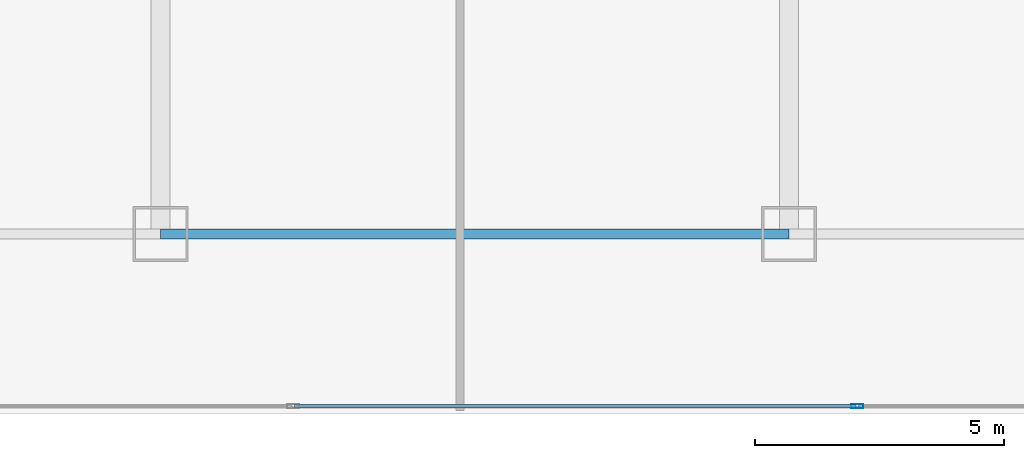
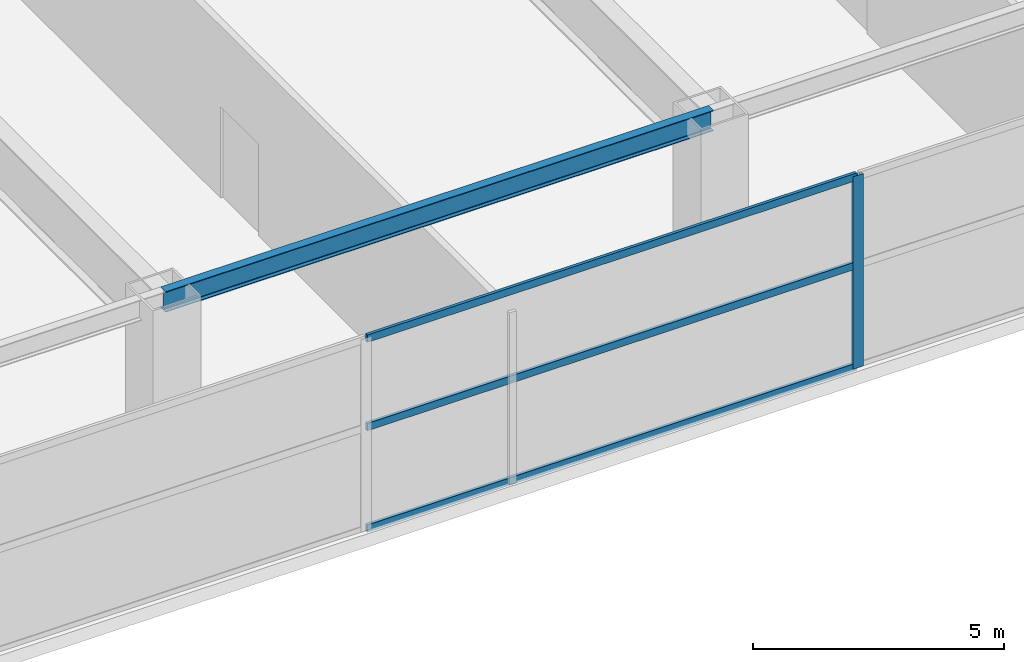
# One storey, part 12 of 35: 4 members, 1 beam, 1 element without a shape of its own.
"""IFC4 building model written with IfcOpenShell, lengths in metres."""

from ifc_helpers import new_model, si_unit, direction, frame, origin, origin_2d, place, context, subcontext, project, spatial, hollow_rectangle, i_section, extrude, material, layer, layer_set, material_profile, profile_set, type_object, element, aggregate, save


model = new_model("IFC4")

# Units and contexts
model_context = context("Model", 3, precision=1e-05, world=origin(), true_north=direction((0.0, 1.0)))
body_context = subcontext(model_context, "Body", "Model", "MODEL_VIEW")
ifc_project = project(units=[si_unit("LENGTHUNIT", "METRE"), si_unit("AREAUNIT", "SQUARE_METRE"), si_unit("VOLUMEUNIT", "CUBIC_METRE"), si_unit("PLANEANGLEUNIT", "RADIAN"), si_unit("MASSUNIT", "GRAM", prefix="KILO")], contexts=[model_context])

# Site, building, storey
site_placement = place(None, origin())
site = spatial("IfcSite", under=ifc_project, at=site_placement, CompositionType="ELEMENT")
building_placement = place(site_placement, origin())
building = spatial("IfcBuilding", under=site, at=building_placement, Name="Calvorn Quay Hotel", CompositionType="ELEMENT")
storey_placement = place(building_placement, frame((0.0, 0.0, 12.0)))
storey = spatial("IfcBuildingStorey", under=building, at=storey_placement, Name="L02", CompositionType="ELEMENT", Elevation=12.0)

# Beam
ifc_material_1 = material(Name="Steel Q355B", Category="steel")
ifc_material_profile_1 = material_profile(ifc_material_1, i_section(OverallWidth=0.199951171875, OverallDepth=0.5, WebThickness=0.010009765625, FlangeThickness=0.01611328125, FilletRadius=0.01611328125, at=origin_2d()), Name="HN500x200x10x16")
ifc_profile_set_1 = profile_set([ifc_material_profile_1], Name="Steel Q355B")
beam_type = type_object("IfcBeamType", Name="BM-SPANDREL-Z1", PredefinedType="SPANDREL", material=ifc_profile_set_1)
beam_placement = place(storey_placement, frame((45.0, 3.60009765625, 4.429931640625), z_axis=(1.0, 0.0, 0.0), x_axis=(0.0, 1.0, 0.0)))
element("IfcBeam", 1, at=beam_placement, inside=storey, type_object=beam_type, Name="Beam BSP-L02-S5", PredefinedType="SPANDREL", context=body_context, shape_type="SweptSolid", body=[
    extrude(i_section(OverallWidth=0.199951171875, OverallDepth=0.5, WebThickness=0.010009765625, FlangeThickness=0.01611328125, FilletRadius=0.01611328125, at=origin_2d()), origin(), (0.0, 0.0, 1.0), 12.60009765625),
])

# Curtain wall, members
ifc_material_2 = material(Name="Pale Anodised Aluminium and Low-E Glass", Category="aluminium")
ifc_layer = layer(ifc_material_2, 0.219970703125)
ifc_layer_set = layer_set([ifc_layer], Name="CW-SYS-POD")
curtain_wall_type = type_object("IfcCurtainWallType", Name="CW-SYS-POD", PredefinedType="NOTDEFINED", material=ifc_layer_set)
curtain_wall_placement = place(storey_placement, origin())
curtain_wall = element("IfcCurtainWall", 2, at=curtain_wall_placement, inside=storey, type_object=curtain_wall_type, Name="Podium Curtain Wall L02-S1", PredefinedType="NOTDEFINED")
ifc_material_3 = material(Name="Pale Anodised Aluminium 6063-T6", Category="aluminium")
ifc_material_profile_2 = material_profile(ifc_material_3, hollow_rectangle(XDim=0.080078125, YDim=0.239990234375, WallThickness=0.0048828125, at=origin_2d()), Name="ALU-M240x80x5")
ifc_profile_set_2 = profile_set([ifc_material_profile_2], Name="Pale Anodised Aluminium 6063-T6")
member_type_1 = type_object("IfcMemberType", Name="CW-SYS-POD-MUL", PredefinedType="MULLION", material=ifc_profile_set_2)
member_1_placement = place(storey_placement, frame((58.971435546875, 0.14990234375, 0.0), z_axis=(0.0, 0.0, 1.0), x_axis=(0.0, 1.0, 0.0)))
member_1 = element("IfcMember", 3, at=member_1_placement, type_object=member_type_1, Name="CW-L02-S1 mullion 6", PredefinedType="MULLION", context=body_context, shape_type="SweptSolid", body=[
    extrude(hollow_rectangle(XDim=0.080078125, YDim=0.239990234375, WallThickness=0.0048828125, at=origin_2d()), origin(), (0.0, 0.0, 1.0), 4.679931640625),
])
ifc_material_4 = material(Name="Pale Anodised Aluminium 6063-T6", Category="aluminium")
ifc_material_profile_3 = material_profile(ifc_material_4, hollow_rectangle(XDim=0.070068359375, YDim=0.179931640625, WallThickness=0.00390625, at=origin_2d()), Name="ALU-T180x70x4")
ifc_profile_set_3 = profile_set([ifc_material_profile_3], Name="Pale Anodised Aluminium 6063-T6")
member_type_2 = type_object("IfcMemberType", Name="CW-SYS-POD-TRN", PredefinedType="USERDEFINED", material=ifc_profile_set_3)
member_2_placement = place(storey_placement, frame((47.687255859375, 0.14990234375, 0.030029296875), z_axis=(1.0, 0.0, 0.0), x_axis=(0.0, 1.0, 0.0)))
member_2 = element("IfcMember", 4, at=member_2_placement, type_object=member_type_2, Name="CW-L02-S1 transom 5.1", ObjectType="TRANSOM", PredefinedType="USERDEFINED", context=body_context, shape_type="SweptSolid", body=[
    extrude(hollow_rectangle(XDim=0.070068359375, YDim=0.179931640625, WallThickness=0.00390625, at=origin_2d()), origin(), (0.0, 0.0, 1.0), 11.254150390625),
])
member_3_placement = place(storey_placement, frame((47.687255859375, 0.14990234375, 2.5), z_axis=(1.0, 0.0, 0.0), x_axis=(0.0, 1.0, 0.0)))
member_3 = element("IfcMember", 5, at=member_3_placement, type_object=member_type_2, Name="CW-L02-S1 transom 5.2", ObjectType="TRANSOM", PredefinedType="USERDEFINED", context=body_context, shape_type="SweptSolid", body=[
    extrude(hollow_rectangle(XDim=0.070068359375, YDim=0.179931640625, WallThickness=0.00390625, at=origin_2d()), origin(), (0.0, 0.0, 1.0), 11.254150390625),
])
member_4_placement = place(storey_placement, frame((47.687255859375, 0.14990234375, 4.64990234375), z_axis=(1.0, 0.0, 0.0), x_axis=(0.0, 1.0, 0.0)))
member_4 = element("IfcMember", 6, at=member_4_placement, type_object=member_type_2, Name="CW-L02-S1 transom 5.3", ObjectType="TRANSOM", PredefinedType="USERDEFINED", context=body_context, shape_type="SweptSolid", body=[
    extrude(hollow_rectangle(XDim=0.070068359375, YDim=0.179931640625, WallThickness=0.00390625, at=origin_2d()), origin(), (0.0, 0.0, 1.0), 11.254150390625),
])
aggregate(curtain_wall, [member_1, member_2, member_3, member_4])

save(model, "model.ifc")
